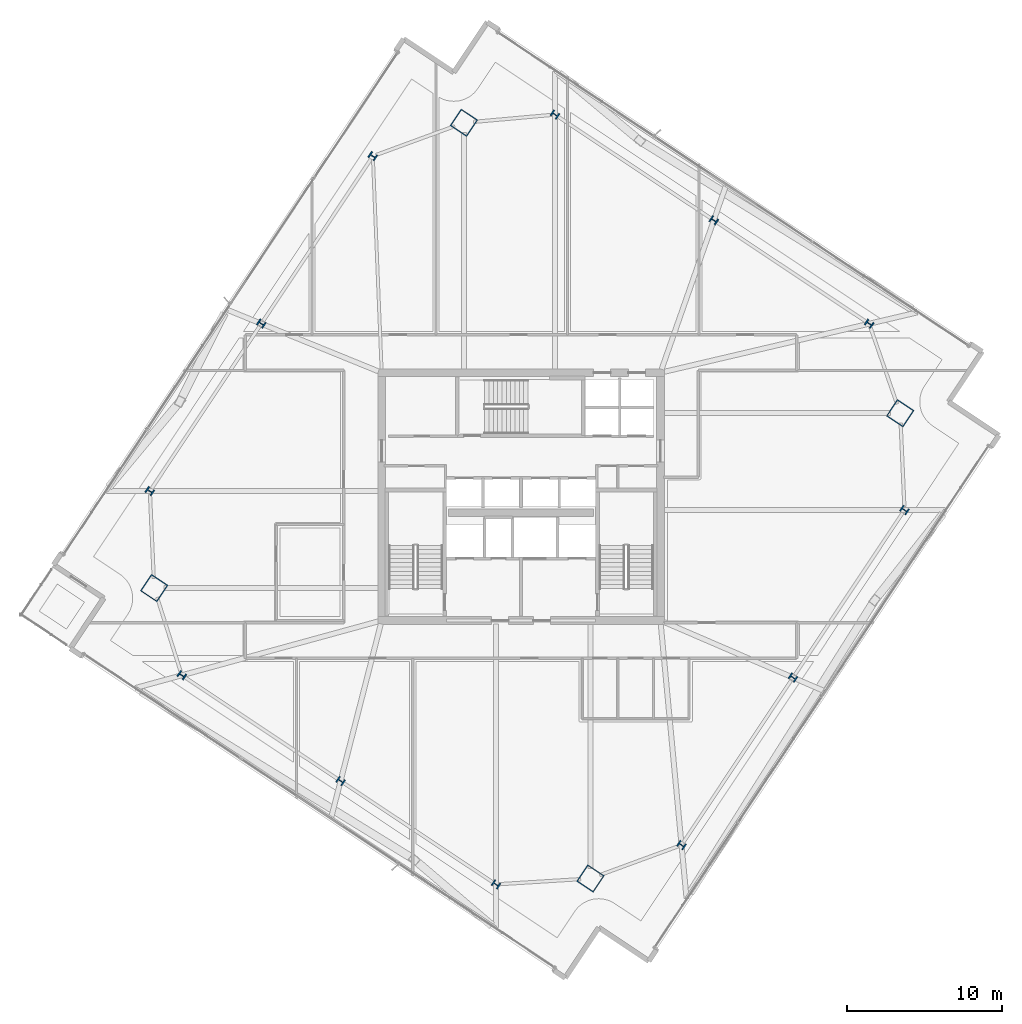
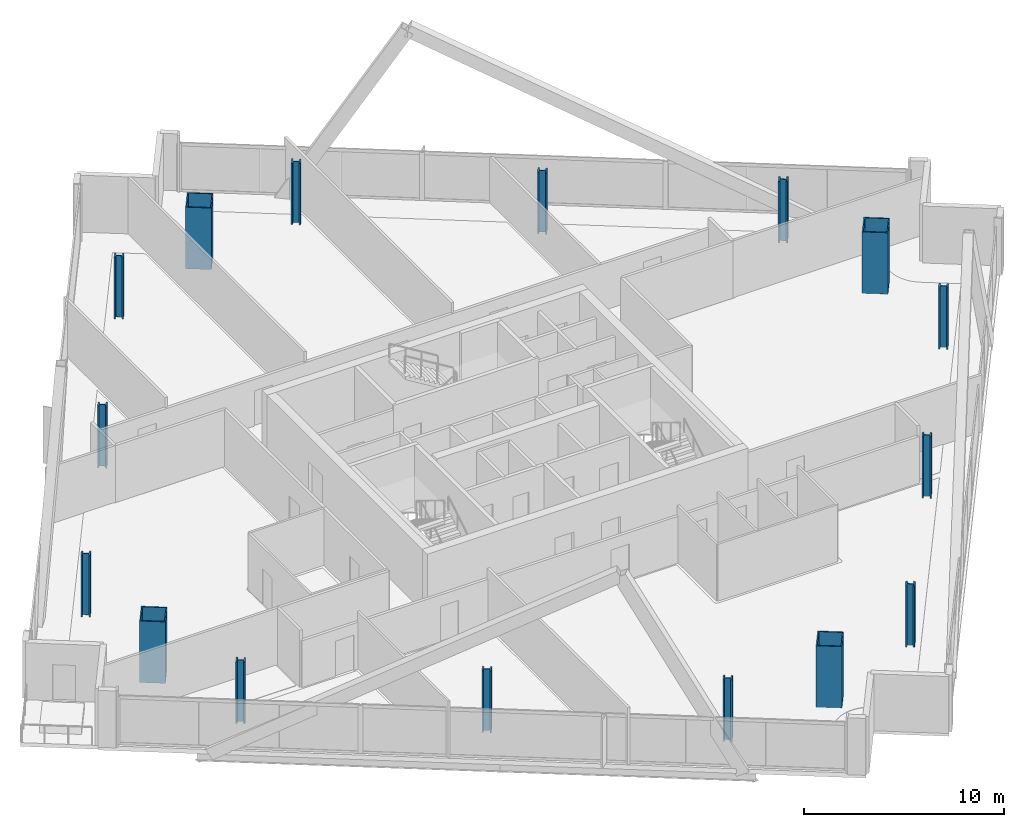
# One storey, part 1 of 32: 16 columns.
"""IFC4 building model written with IfcOpenShell, lengths in metres."""

from ifc_helpers import new_model, si_unit, direction, frame, origin, origin_2d, place, context, subcontext, project, spatial, hollow_rectangle, i_section, extrude, material, material_profile, profile_set, type_object, element, save


model = new_model("IFC4")

# Units and contexts
model_context = context("Model", 3, precision=1e-05, world=origin(), true_north=direction((0.0, 1.0)))
body_context = subcontext(model_context, "Body", "Model", "MODEL_VIEW")
ifc_project = project(units=[si_unit("LENGTHUNIT", "METRE"), si_unit("AREAUNIT", "SQUARE_METRE"), si_unit("VOLUMEUNIT", "CUBIC_METRE"), si_unit("PLANEANGLEUNIT", "RADIAN"), si_unit("MASSUNIT", "GRAM", prefix="KILO")], contexts=[model_context])

# Site, building, storey
site_placement = place(None, origin())
site = spatial("IfcSite", under=ifc_project, at=site_placement, CompositionType="ELEMENT")
building_placement = place(site_placement, origin())
building = spatial("IfcBuilding", under=site, at=building_placement, Name="Haldenkirk Collegiate Tower", CompositionType="ELEMENT")
storey_placement = place(building_placement, frame((0.0, 0.0, 217.199951171875)))
storey = spatial("IfcBuildingStorey", under=building, at=storey_placement, Name="L54", CompositionType="ELEMENT", Elevation=217.199951171875)

# Columns
ifc_material_1 = material(Name="Steel ASTM A913 Grade 65", Category="steel")
ifc_material_profile_1 = material_profile(ifc_material_1, i_section(OverallWidth=0.424072265625, OverallDepth=0.47412109375, WebThickness=0.047607421875, FlangeThickness=0.0771484375, at=origin_2d()), Name="W14X426")
ifc_profile_set_1 = profile_set([ifc_material_profile_1], Name="Steel ASTM A913 Grade 65")
column_type_1 = type_object("IfcColumnType", Name="COL-INT-W14X426", PredefinedType="COLUMN", material=ifc_profile_set_1)
for number, where, z_axis, x_axis, name in (
    (1, (46.363037109375, 3.48974609375, 0.0), (0.0, 0.0, 1.0), (0.554118199338, 0.832437998389, 0.0), "L54 perimeter gravity column PC-S1"),
    (2, (53.564453125, 14.30810546875, 0.0), (0.0, 0.0, 1.0), (0.554118199338, 0.832437998389, 0.0), "L54 perimeter gravity column PC-S2"),
    (3, (60.765869140625, 25.12646484375, 0.0), (0.0, 0.0, 1.0), (0.554118199338, 0.832437998389, 0.0), "L54 perimeter gravity column PC-S3"),
    (4, (58.48095703125, 37.16357421875, 0.0), (0.0, 0.0, 1.0), (0.554118199338, 0.832437998389, 0.0), "L54 perimeter gravity column PC-E1"),
    (5, (48.447509765625, 43.84228515625, 0.0), (0.0, 0.0, 1.0), (0.554118199338, 0.832437998389, 0.0), "L54 perimeter gravity column PC-E2"),
    (6, (38.192626953125, 50.66845703125, 0.0), (0.0, 0.0, 1.0), (0.554118199338, 0.832437998389, 0.0), "L54 perimeter gravity column PC-E3"),
    (7, (26.427734375, 47.98388671875, 0.0), (0.0, 0.0, 1.0), (0.554118199338, 0.832437998389, 0.0), "L54 perimeter gravity column PC-N1"),
    (8, (19.226318359375, 37.16552734375, 0.0), (0.0, 0.0, 1.0), (0.554118199338, 0.832437998389, 0.0), "L54 perimeter gravity column PC-N2"),
    (9, (12.025146484375, 26.34716796875, 0.0), (0.0, 0.0, 1.0), (0.554118199338, 0.832437998389, 0.0), "L54 perimeter gravity column PC-N3"),
    (10, (14.08837890625, 14.45751953125, 0.0), (0.0, 0.0, 1.0), (0.554118199338, 0.832437998389, 0.0), "L54 perimeter gravity column PC-W1"),
    (11, (24.34326171875, 7.63134765625, 0.0), (0.0, 0.0, 1.0), (0.554118199338, 0.832437998389, 0.0), "L54 perimeter gravity column PC-W2"),
    (12, (34.376708984375, 0.952392578125, 0.0), (0.0, 0.0, 1.0), (0.554118199338, 0.832437998389, 0.0), "L54 perimeter gravity column PC-W3"),
):
    element("IfcColumn", number, at=place(storey_placement, frame(where, z_axis=z_axis, x_axis=x_axis)), inside=storey, type_object=column_type_1, Name=name, PredefinedType="COLUMN", context=body_context, shape_type="SweptSolid", body=[
        extrude(i_section(OverallWidth=0.424072265625, OverallDepth=0.47412109375, WebThickness=0.047607421875, FlangeThickness=0.0771484375, at=origin_2d()), origin(), (0.0, 0.0, 1.0), 3.75),
    ])
ifc_material_2 = material(Name="Steel ASTM A572 Grade 50", Category="steel")
ifc_material_profile_2 = material_profile(ifc_material_2, hollow_rectangle(XDim=1.300048828125, YDim=1.300048828125, WallThickness=0.06005859375, at=origin_2d()), Name="BOX1300X1300X60")
ifc_profile_set_2 = profile_set([ifc_material_profile_2], Name="Steel ASTM A572 Grade 50")
column_type_2 = type_object("IfcColumnType", Name="COL-MEGA-BOX1300X1300X60", PredefinedType="COLUMN", material=ifc_profile_set_2)
for number, where, z_axis, x_axis, name in (
    (13, (40.482666015625, 1.332763671875, 0.0), (0.0, 0.0, 1.0), (0.554118199338, 0.832437998389, 0.0), "L54 corner mega-column MC1"),
    (14, (60.486328125, 31.3837890625, 0.0), (0.0, 0.0, 1.0), (0.554118199338, 0.832437998389, 0.0), "L54 corner mega-column MC2"),
    (15, (32.30810546875, 50.140869140625, 0.0), (0.0, 0.0, 1.0), (0.554118199338, 0.832437998389, 0.0), "L54 corner mega-column MC3"),
    (16, (12.3046875, 20.089599609375, 0.0), (0.0, 0.0, 1.0), (0.554118199338, 0.832437998389, 0.0), "L54 corner mega-column MC4"),
):
    element("IfcColumn", number, at=place(storey_placement, frame(where, z_axis=z_axis, x_axis=x_axis)), inside=storey, type_object=column_type_2, Name=name, PredefinedType="COLUMN", context=body_context, shape_type="SweptSolid", body=[
        extrude(hollow_rectangle(XDim=1.300048828125, YDim=1.300048828125, WallThickness=0.06005859375, at=origin_2d()), origin(), (0.0, 0.0, 1.0), 3.75),
    ])

save(model, "model.ifc")
